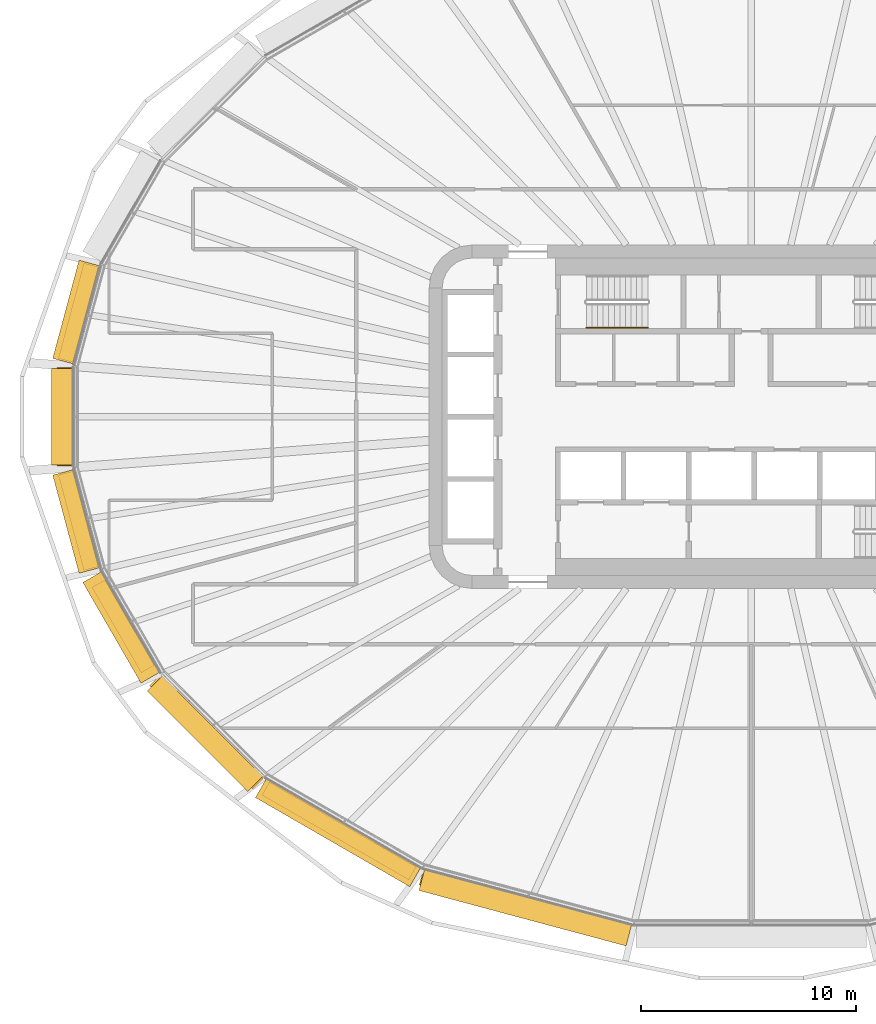
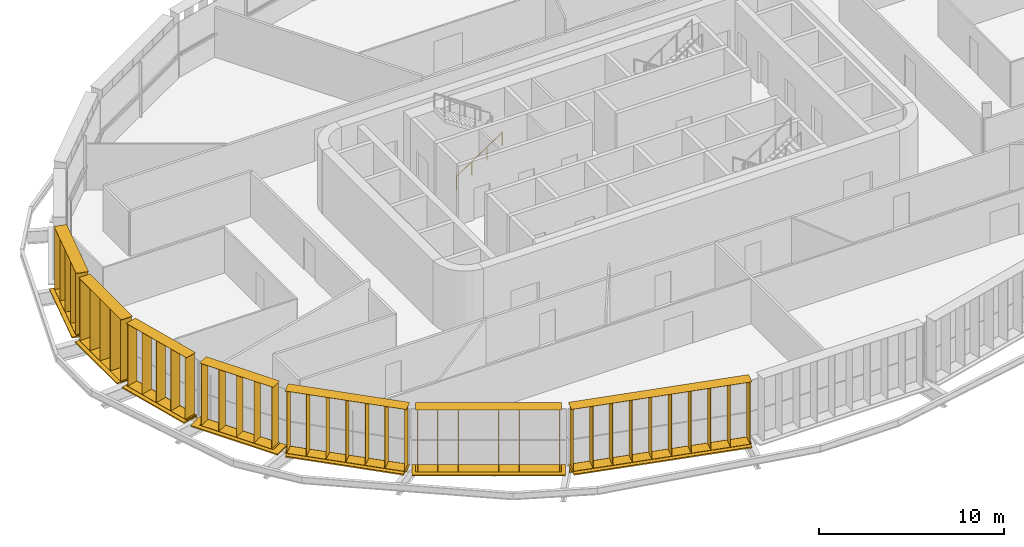
# One storey, part 20 of 25: 14 shading devices, 1 railing.
"""IFC4 building model written with IfcOpenShell, lengths in metres."""

from ifc_helpers import new_model, si_unit, direction, frame, origin, origin_2d, place, context, subcontext, project, spatial, rectangle, circle, extrude, material, type_object, element, save


model = new_model("IFC4")

# Units and contexts
model_context = context("Model", 3, precision=1e-05, world=origin(), true_north=direction((0.0, 1.0)))
body_context = subcontext(model_context, "Body", "Model", "MODEL_VIEW")
ifc_project = project(units=[si_unit("LENGTHUNIT", "METRE"), si_unit("AREAUNIT", "SQUARE_METRE"), si_unit("VOLUMEUNIT", "CUBIC_METRE"), si_unit("PLANEANGLEUNIT", "RADIAN"), si_unit("MASSUNIT", "GRAM", prefix="KILO")], contexts=[model_context])

# Site, building, storey
site_placement = place(None, origin())
site = spatial("IfcSite", under=ifc_project, at=site_placement, CompositionType="ELEMENT")
building_placement = place(site_placement, origin())
building = spatial("IfcBuilding", under=site, at=building_placement, Name="Sahrelin Media Tower", CompositionType="ELEMENT")
storey_placement = place(building_placement, frame((0.0, 0.0, 144.0)))
storey = spatial("IfcBuildingStorey", under=building, at=storey_placement, Name="L29", CompositionType="ELEMENT", Elevation=144.0)

# Shading devices
ifc_material_1 = material(Name="Champagne anodised aluminium 6063-T6", Category="aluminium")
shading_device_type_1 = type_object("IfcShadingDeviceType", Name="Fin cassette", PredefinedType="USERDEFINED", material=ifc_material_1)
placement_1 = place(storey_placement, frame((-30.940185546875, 4.7412109375, 0.0), z_axis=(0.0, 0.0, 1.0), x_axis=(0.258807731996, 0.965928857556, 0.0)))
element("IfcShadingDevice", 1, at=placement_1, inside=storey, type_object=shading_device_type_1, Name="L29:FIN:L29-11", ObjectType="FIN", PredefinedType="USERDEFINED", context=body_context, shape_type="SweptSolid", body=[
    extrude(rectangle(XDim=4.60009765625, YDim=0.699951171875, at=origin_2d()), frame((0.0, 0.419921875, 0.0)), (0.0, 0.0, 1.0), 0.02001953125),
    extrude(rectangle(XDim=4.60009765625, YDim=0.699951171875, at=origin_2d()), frame((0.0, 0.419921875, 4.10009765625)), (0.0, 0.0, 1.0), 0.02001953125),
    extrude(rectangle(XDim=0.02001953125, YDim=0.699951171875, at=origin_2d()), frame((-2.199951171875, 0.419921875, 0.010009765625), z_axis=(0.0, 0.0, 1.0), x_axis=(1.0, 0.0, 0.0)), (0.0, 0.0, 1.0), 4.10009765625),
    extrude(rectangle(XDim=0.02001953125, YDim=0.699951171875, at=origin_2d()), frame((-1.10009765625, 0.419921875, 0.010009765625), z_axis=(0.0, 0.0, 1.0), x_axis=(1.0, 0.0, 0.0)), (0.0, 0.0, 1.0), 4.10009765625),
    extrude(rectangle(XDim=0.02001953125, YDim=0.699951171875, at=origin_2d()), frame((0.0, 0.419921875, 0.010009765625), z_axis=(0.0, 0.0, 1.0), x_axis=(1.0, 0.0, 0.0)), (0.0, 0.0, 1.0), 4.10009765625),
    extrude(rectangle(XDim=0.02001953125, YDim=0.699951171875, at=origin_2d()), frame((1.10009765625, 0.419921875, 0.010009765625), z_axis=(0.0, 0.0, 1.0), x_axis=(1.0, 0.0, 0.0)), (0.0, 0.0, 1.0), 4.10009765625),
    extrude(rectangle(XDim=0.02001953125, YDim=0.699951171875, at=origin_2d()), frame((2.199951171875, 0.419921875, 0.010009765625), z_axis=(0.0, 0.0, 1.0), x_axis=(1.0, 0.0, 0.0)), (0.0, 0.0, 1.0), 4.10009765625),
])
placement_2 = place(storey_placement, frame((-31.57861328125, 0.0, 0.0), z_axis=(0.0, 0.0, 1.0), x_axis=(0.0, 1.0, 0.0)))
element("IfcShadingDevice", 2, at=placement_2, inside=storey, type_object=shading_device_type_1, Name="L29:FIN:L29-12", ObjectType="FIN", PredefinedType="USERDEFINED", context=body_context, shape_type="SweptSolid", body=[
    extrude(rectangle(XDim=4.60009765625, YDim=0.699951171875, at=origin_2d()), frame((0.0, 0.419921875, 0.0)), (0.0, 0.0, 1.0), 0.02001953125),
    extrude(rectangle(XDim=4.60009765625, YDim=0.699951171875, at=origin_2d()), frame((0.0, 0.419921875, 4.10009765625)), (0.0, 0.0, 1.0), 0.02001953125),
    extrude(rectangle(XDim=0.02001953125, YDim=0.699951171875, at=origin_2d()), frame((-2.199951171875, 0.419921875, 0.010009765625), z_axis=(0.0, 0.0, 1.0), x_axis=(1.0, 0.0, 0.0)), (0.0, 0.0, 1.0), 4.10009765625),
    extrude(rectangle(XDim=0.02001953125, YDim=0.699951171875, at=origin_2d()), frame((-1.10009765625, 0.419921875, 0.010009765625), z_axis=(0.0, 0.0, 1.0), x_axis=(1.0, 0.0, 0.0)), (0.0, 0.0, 1.0), 4.10009765625),
    extrude(rectangle(XDim=0.02001953125, YDim=0.699951171875, at=origin_2d()), frame((0.0, 0.419921875, 0.010009765625), z_axis=(0.0, 0.0, 1.0), x_axis=(1.0, 0.0, 0.0)), (0.0, 0.0, 1.0), 4.10009765625),
    extrude(rectangle(XDim=0.02001953125, YDim=0.699951171875, at=origin_2d()), frame((1.10009765625, 0.419921875, 0.010009765625), z_axis=(0.0, 0.0, 1.0), x_axis=(1.0, 0.0, 0.0)), (0.0, 0.0, 1.0), 4.10009765625),
    extrude(rectangle(XDim=0.02001953125, YDim=0.699951171875, at=origin_2d()), frame((2.199951171875, 0.419921875, 0.010009765625), z_axis=(0.0, 0.0, 1.0), x_axis=(1.0, 0.0, 0.0)), (0.0, 0.0, 1.0), 4.10009765625),
])
placement_3 = place(storey_placement, frame((-30.940185546875, -4.7412109375, 0.0), z_axis=(0.0, 0.0, 1.0), x_axis=(-0.258807731996, 0.965928857556, 0.0)))
element("IfcShadingDevice", 3, at=placement_3, inside=storey, type_object=shading_device_type_1, Name="L29:FIN:L29-13", ObjectType="FIN", PredefinedType="USERDEFINED", context=body_context, shape_type="SweptSolid", body=[
    extrude(rectangle(XDim=4.60009765625, YDim=0.699951171875, at=origin_2d()), frame((0.0, 0.419921875, 0.0)), (0.0, 0.0, 1.0), 0.02001953125),
    extrude(rectangle(XDim=4.60009765625, YDim=0.699951171875, at=origin_2d()), frame((0.0, 0.419921875, 4.10009765625)), (0.0, 0.0, 1.0), 0.02001953125),
    extrude(rectangle(XDim=0.02001953125, YDim=0.699951171875, at=origin_2d()), frame((-2.199951171875, 0.419921875, 0.010009765625), z_axis=(0.0, 0.0, 1.0), x_axis=(1.0, 0.0, 0.0)), (0.0, 0.0, 1.0), 4.10009765625),
    extrude(rectangle(XDim=0.02001953125, YDim=0.699951171875, at=origin_2d()), frame((-1.10009765625, 0.419921875, 0.010009765625), z_axis=(0.0, 0.0, 1.0), x_axis=(1.0, 0.0, 0.0)), (0.0, 0.0, 1.0), 4.10009765625),
    extrude(rectangle(XDim=0.02001953125, YDim=0.699951171875, at=origin_2d()), frame((0.0, 0.419921875, 0.010009765625), z_axis=(0.0, 0.0, 1.0), x_axis=(1.0, 0.0, 0.0)), (0.0, 0.0, 1.0), 4.10009765625),
    extrude(rectangle(XDim=0.02001953125, YDim=0.699951171875, at=origin_2d()), frame((1.10009765625, 0.419921875, 0.010009765625), z_axis=(0.0, 0.0, 1.0), x_axis=(1.0, 0.0, 0.0)), (0.0, 0.0, 1.0), 4.10009765625),
    extrude(rectangle(XDim=0.02001953125, YDim=0.699951171875, at=origin_2d()), frame((2.199951171875, 0.419921875, 0.010009765625), z_axis=(0.0, 0.0, 1.0), x_axis=(1.0, 0.0, 0.0)), (0.0, 0.0, 1.0), 4.10009765625),
])
placement_4 = place(storey_placement, frame((-28.8984375, -9.5546875, 0.0), z_axis=(0.0, 0.0, 1.0), x_axis=(-0.500011000363, 0.866019052629, 0.0)))
element("IfcShadingDevice", 4, at=placement_4, inside=storey, type_object=shading_device_type_1, Name="L29:FIN:L29-14", ObjectType="FIN", PredefinedType="USERDEFINED", context=body_context, shape_type="SweptSolid", body=[
    extrude(rectangle(XDim=4.60009765625, YDim=0.699951171875, at=origin_2d()), frame((0.0, 0.419921875, 0.0)), (0.0, 0.0, 1.0), 0.02001953125),
    extrude(rectangle(XDim=4.60009765625, YDim=0.699951171875, at=origin_2d()), frame((0.0, 0.419921875, 4.10009765625)), (0.0, 0.0, 1.0), 0.02001953125),
    extrude(rectangle(XDim=0.02001953125, YDim=0.699951171875, at=origin_2d()), frame((-2.199951171875, 0.419921875, 0.010009765625), z_axis=(0.0, 0.0, 1.0), x_axis=(1.0, 0.0, 0.0)), (0.0, 0.0, 1.0), 4.10009765625),
    extrude(rectangle(XDim=0.02001953125, YDim=0.699951171875, at=origin_2d()), frame((-1.10009765625, 0.419921875, 0.010009765625), z_axis=(0.0, 0.0, 1.0), x_axis=(1.0, 0.0, 0.0)), (0.0, 0.0, 1.0), 4.10009765625),
    extrude(rectangle(XDim=0.02001953125, YDim=0.699951171875, at=origin_2d()), frame((0.0, 0.419921875, 0.010009765625), z_axis=(0.0, 0.0, 1.0), x_axis=(1.0, 0.0, 0.0)), (0.0, 0.0, 1.0), 4.10009765625),
    extrude(rectangle(XDim=0.02001953125, YDim=0.699951171875, at=origin_2d()), frame((1.10009765625, 0.419921875, 0.010009765625), z_axis=(0.0, 0.0, 1.0), x_axis=(1.0, 0.0, 0.0)), (0.0, 0.0, 1.0), 4.10009765625),
    extrude(rectangle(XDim=0.02001953125, YDim=0.699951171875, at=origin_2d()), frame((2.199951171875, 0.419921875, 0.010009765625), z_axis=(0.0, 0.0, 1.0), x_axis=(1.0, 0.0, 0.0)), (0.0, 0.0, 1.0), 4.10009765625),
])
placement_5 = place(storey_placement, frame((-25.08349609375, -14.39697265625, 0.0), z_axis=(0.0, 0.0, 1.0), x_axis=(-0.707106781187, 0.707106781187, 0.0)))
element("IfcShadingDevice", 5, at=placement_5, inside=storey, type_object=shading_device_type_1, Name="L29:FIN:L29-15", ObjectType="FIN", PredefinedType="USERDEFINED", context=body_context, shape_type="SweptSolid", body=[
    extrude(rectangle(XDim=6.800048828125, YDim=0.699951171875, at=origin_2d()), frame((0.0, 0.419921875, 0.0)), (0.0, 0.0, 1.0), 0.02001953125),
    extrude(rectangle(XDim=6.800048828125, YDim=0.699951171875, at=origin_2d()), frame((0.0, 0.419921875, 4.10009765625)), (0.0, 0.0, 1.0), 0.02001953125),
    extrude(rectangle(XDim=0.02001953125, YDim=0.699951171875, at=origin_2d()), frame((-3.300048828125, 0.419921875, 0.010009765625), z_axis=(0.0, 0.0, 1.0), x_axis=(1.0, 0.0, 0.0)), (0.0, 0.0, 1.0), 4.10009765625),
    extrude(rectangle(XDim=0.02001953125, YDim=0.699951171875, at=origin_2d()), frame((-2.199951171875, 0.419921875, 0.010009765625), z_axis=(0.0, 0.0, 1.0), x_axis=(1.0, 0.0, 0.0)), (0.0, 0.0, 1.0), 4.10009765625),
    extrude(rectangle(XDim=0.02001953125, YDim=0.699951171875, at=origin_2d()), frame((-1.10009765625, 0.419921875, 0.010009765625), z_axis=(0.0, 0.0, 1.0), x_axis=(1.0, 0.0, 0.0)), (0.0, 0.0, 1.0), 4.10009765625),
    extrude(rectangle(XDim=0.02001953125, YDim=0.699951171875, at=origin_2d()), frame((0.0, 0.419921875, 0.010009765625), z_axis=(0.0, 0.0, 1.0), x_axis=(1.0, 0.0, 0.0)), (0.0, 0.0, 1.0), 4.10009765625),
    extrude(rectangle(XDim=0.02001953125, YDim=0.699951171875, at=origin_2d()), frame((1.10009765625, 0.419921875, 0.010009765625), z_axis=(0.0, 0.0, 1.0), x_axis=(1.0, 0.0, 0.0)), (0.0, 0.0, 1.0), 4.10009765625),
    extrude(rectangle(XDim=0.02001953125, YDim=0.699951171875, at=origin_2d()), frame((2.199951171875, 0.419921875, 0.010009765625), z_axis=(0.0, 0.0, 1.0), x_axis=(1.0, 0.0, 0.0)), (0.0, 0.0, 1.0), 4.10009765625),
    extrude(rectangle(XDim=0.02001953125, YDim=0.699951171875, at=origin_2d()), frame((3.300048828125, 0.419921875, 0.010009765625), z_axis=(0.0, 0.0, 1.0), x_axis=(1.0, 0.0, 0.0)), (0.0, 0.0, 1.0), 4.10009765625),
])
placement_6 = place(storey_placement, frame((-18.990966796875, -18.93359375, 0.0), z_axis=(0.0, 0.0, 1.0), x_axis=(-0.866019052629, 0.500011000363, 0.0)))
element("IfcShadingDevice", 6, at=placement_6, inside=storey, type_object=shading_device_type_1, Name="L29:FIN:L29-16", ObjectType="FIN", PredefinedType="USERDEFINED", context=body_context, shape_type="SweptSolid", body=[
    extrude(rectangle(XDim=7.89990234375, YDim=0.699951171875, at=origin_2d()), frame((0.0, 0.419921875, 0.0)), (0.0, 0.0, 1.0), 0.02001953125),
    extrude(rectangle(XDim=7.89990234375, YDim=0.699951171875, at=origin_2d()), frame((0.0, 0.419921875, 4.10009765625)), (0.0, 0.0, 1.0), 0.02001953125),
    extrude(rectangle(XDim=0.02001953125, YDim=0.699951171875, at=origin_2d()), frame((-3.85009765625, 0.419921875, 0.010009765625), z_axis=(0.0, 0.0, 1.0), x_axis=(1.0, 0.0, 0.0)), (0.0, 0.0, 1.0), 4.10009765625),
    extrude(rectangle(XDim=0.02001953125, YDim=0.699951171875, at=origin_2d()), frame((-2.75, 0.419921875, 0.010009765625), z_axis=(0.0, 0.0, 1.0), x_axis=(1.0, 0.0, 0.0)), (0.0, 0.0, 1.0), 4.10009765625),
    extrude(rectangle(XDim=0.02001953125, YDim=0.699951171875, at=origin_2d()), frame((-1.64990234375, 0.419921875, 0.010009765625), z_axis=(0.0, 0.0, 1.0), x_axis=(1.0, 0.0, 0.0)), (0.0, 0.0, 1.0), 4.10009765625),
    extrude(rectangle(XDim=0.02001953125, YDim=0.699951171875, at=origin_2d()), frame((-0.550048828125, 0.419921875, 0.010009765625), z_axis=(0.0, 0.0, 1.0), x_axis=(1.0, 0.0, 0.0)), (0.0, 0.0, 1.0), 4.10009765625),
    extrude(rectangle(XDim=0.02001953125, YDim=0.699951171875, at=origin_2d()), frame((0.550048828125, 0.419921875, 0.010009765625), z_axis=(0.0, 0.0, 1.0), x_axis=(1.0, 0.0, 0.0)), (0.0, 0.0, 1.0), 4.10009765625),
    extrude(rectangle(XDim=0.02001953125, YDim=0.699951171875, at=origin_2d()), frame((1.64990234375, 0.419921875, 0.010009765625), z_axis=(0.0, 0.0, 1.0), x_axis=(1.0, 0.0, 0.0)), (0.0, 0.0, 1.0), 4.10009765625),
    extrude(rectangle(XDim=0.02001953125, YDim=0.699951171875, at=origin_2d()), frame((2.75, 0.419921875, 0.010009765625), z_axis=(0.0, 0.0, 1.0), x_axis=(1.0, 0.0, 0.0)), (0.0, 0.0, 1.0), 4.10009765625),
    extrude(rectangle(XDim=0.02001953125, YDim=0.699951171875, at=origin_2d()), frame((3.85009765625, 0.419921875, 0.010009765625), z_axis=(0.0, 0.0, 1.0), x_axis=(1.0, 0.0, 0.0)), (0.0, 0.0, 1.0), 4.10009765625),
])
placement_7 = place(storey_placement, frame((-10.389404296875, -22.377197265625, 0.0), z_axis=(0.0, 0.0, 1.0), x_axis=(-0.965928857556, 0.258807731996, 0.0)))
element("IfcShadingDevice", 7, at=placement_7, inside=storey, type_object=shading_device_type_1, Name="L29:FIN:L29-17", ObjectType="FIN", PredefinedType="USERDEFINED", context=body_context, shape_type="SweptSolid", body=[
    extrude(rectangle(XDim=10.10009765625, YDim=0.699951171875, at=origin_2d()), frame((0.0, 0.419921875, 0.0)), (0.0, 0.0, 1.0), 0.02001953125),
    extrude(rectangle(XDim=10.10009765625, YDim=0.699951171875, at=origin_2d()), frame((0.0, 0.419921875, 4.10009765625)), (0.0, 0.0, 1.0), 0.02001953125),
    extrude(rectangle(XDim=0.02001953125, YDim=0.699951171875, at=origin_2d()), frame((-4.949951171875, 0.419921875, 0.010009765625), z_axis=(0.0, 0.0, 1.0), x_axis=(1.0, 0.0, 0.0)), (0.0, 0.0, 1.0), 4.10009765625),
    extrude(rectangle(XDim=0.02001953125, YDim=0.699951171875, at=origin_2d()), frame((-3.85009765625, 0.419921875, 0.010009765625), z_axis=(0.0, 0.0, 1.0), x_axis=(1.0, 0.0, 0.0)), (0.0, 0.0, 1.0), 4.10009765625),
    extrude(rectangle(XDim=0.02001953125, YDim=0.699951171875, at=origin_2d()), frame((-2.75, 0.419921875, 0.010009765625), z_axis=(0.0, 0.0, 1.0), x_axis=(1.0, 0.0, 0.0)), (0.0, 0.0, 1.0), 4.10009765625),
    extrude(rectangle(XDim=0.02001953125, YDim=0.699951171875, at=origin_2d()), frame((-1.64990234375, 0.419921875, 0.010009765625), z_axis=(0.0, 0.0, 1.0), x_axis=(1.0, 0.0, 0.0)), (0.0, 0.0, 1.0), 4.10009765625),
    extrude(rectangle(XDim=0.02001953125, YDim=0.699951171875, at=origin_2d()), frame((-0.550048828125, 0.419921875, 0.010009765625), z_axis=(0.0, 0.0, 1.0), x_axis=(1.0, 0.0, 0.0)), (0.0, 0.0, 1.0), 4.10009765625),
    extrude(rectangle(XDim=0.02001953125, YDim=0.699951171875, at=origin_2d()), frame((0.550048828125, 0.419921875, 0.010009765625), z_axis=(0.0, 0.0, 1.0), x_axis=(1.0, 0.0, 0.0)), (0.0, 0.0, 1.0), 4.10009765625),
    extrude(rectangle(XDim=0.02001953125, YDim=0.699951171875, at=origin_2d()), frame((1.64990234375, 0.419921875, 0.010009765625), z_axis=(0.0, 0.0, 1.0), x_axis=(1.0, 0.0, 0.0)), (0.0, 0.0, 1.0), 4.10009765625),
    extrude(rectangle(XDim=0.02001953125, YDim=0.699951171875, at=origin_2d()), frame((2.75, 0.419921875, 0.010009765625), z_axis=(0.0, 0.0, 1.0), x_axis=(1.0, 0.0, 0.0)), (0.0, 0.0, 1.0), 4.10009765625),
    extrude(rectangle(XDim=0.02001953125, YDim=0.699951171875, at=origin_2d()), frame((3.85009765625, 0.419921875, 0.010009765625), z_axis=(0.0, 0.0, 1.0), x_axis=(1.0, 0.0, 0.0)), (0.0, 0.0, 1.0), 4.10009765625),
    extrude(rectangle(XDim=0.02001953125, YDim=0.699951171875, at=origin_2d()), frame((4.949951171875, 0.419921875, 0.010009765625), z_axis=(0.0, 0.0, 1.0), x_axis=(1.0, 0.0, 0.0)), (0.0, 0.0, 1.0), 4.10009765625),
])

# Railing
ifc_material_2 = material(Name="Steel S355", Category="steel")
railing_type = type_object("IfcRailingType", Name="Stair handrail 900", PredefinedType="HANDRAIL", material=ifc_material_2)
railing_placement = place(storey_placement, frame((-7.675048828125, 4.14990234375, 0.175048828125)))
element("IfcRailing", 8, at=railing_placement, inside=storey, type_object=railing_type, Name="L29 ST1 stair handrail 1", PredefinedType="HANDRAIL", context=body_context, shape_type="SweptSolid", body=[
    extrude(circle(Radius=0.02392578125, at=origin_2d()), frame((0.0, 0.0, 0.8759765625), z_axis=(0.829590901723, 0.0, 0.558371682465), x_axis=(0.0, 1.0, 0.0)), (0.0, 0.0, 1.0), 3.447509765625),
    extrude(circle(Radius=0.02099609375, at=origin_2d()), origin(), (0.0, 0.0, 1.0), 0.851806640625),
    extrude(circle(Radius=0.02099609375, at=origin_2d()), frame((0.953369140625, 0.0, 0.6416015625)), (0.0, 0.0, 1.0), 0.851806640625),
    extrude(circle(Radius=0.02099609375, at=origin_2d()), frame((1.90673828125, 0.0, 1.283447265625)), (0.0, 0.0, 1.0), 0.851806640625),
    extrude(circle(Radius=0.02099609375, at=origin_2d()), frame((2.860107421875, 0.0, 1.925048828125)), (0.0, 0.0, 1.0), 0.851806640625),
])

# Shading devices
shading_device_type_2 = type_object("IfcShadingDeviceType", Name="Sunshade band", PredefinedType="USERDEFINED", material=ifc_material_1)
element("IfcShadingDevice", 9, at=placement_1, inside=storey, type_object=shading_device_type_2, Name="L29:SUN:L29-11", ObjectType="SUNSHADE", PredefinedType="USERDEFINED", context=body_context, shape_type="SweptSolid", body=[
    extrude(rectangle(XDim=4.7333984375, YDim=0.050048828125, at=origin_2d()), frame((0.0, 0.044921875, -0.55126953125)), (0.0, 0.0, 1.0), 0.471435546875),
    extrude(rectangle(XDim=4.7333984375, YDim=1.0, at=origin_2d()), frame((0.0, 0.52001953125, -0.080078125)), (0.0, 0.0, 1.0), 0.080078125),
    extrude(rectangle(XDim=0.10009765625, YDim=0.074951171875, at=origin_2d()), frame((-2.2666015625, -0.017578125, -0.47021484375)), (0.0, 0.0, 1.0), 0.300048828125),
    extrude(rectangle(XDim=0.10009765625, YDim=0.074951171875, at=origin_2d()), frame((-0.755615234375, -0.017578125, -0.47021484375)), (0.0, 0.0, 1.0), 0.300048828125),
    extrude(rectangle(XDim=0.10009765625, YDim=0.074951171875, at=origin_2d()), frame((0.755615234375, -0.017578125, -0.47021484375)), (0.0, 0.0, 1.0), 0.300048828125),
    extrude(rectangle(XDim=0.10009765625, YDim=0.074951171875, at=origin_2d()), frame((2.2666015625, -0.017578125, -0.47021484375)), (0.0, 0.0, 1.0), 0.300048828125),
])
element("IfcShadingDevice", 10, at=placement_2, inside=storey, type_object=shading_device_type_2, Name="L29:SUN:L29-12", ObjectType="SUNSHADE", PredefinedType="USERDEFINED", context=body_context, shape_type="SweptSolid", body=[
    extrude(rectangle(XDim=4.51708984375, YDim=0.050048828125, at=origin_2d()), frame((0.0, 0.044921875, -0.55126953125)), (0.0, 0.0, 1.0), 0.471435546875),
    extrude(rectangle(XDim=4.51708984375, YDim=1.0, at=origin_2d()), frame((0.0, 0.52001953125, -0.080078125)), (0.0, 0.0, 1.0), 0.080078125),
    extrude(rectangle(XDim=0.10009765625, YDim=0.074951171875, at=origin_2d()), frame((-2.158447265625, -0.017578125, -0.47021484375)), (0.0, 0.0, 1.0), 0.300048828125),
    extrude(rectangle(XDim=0.10009765625, YDim=0.074951171875, at=origin_2d()), frame((-0.719482421875, -0.017578125, -0.47021484375)), (0.0, 0.0, 1.0), 0.300048828125),
    extrude(rectangle(XDim=0.10009765625, YDim=0.074951171875, at=origin_2d()), frame((0.719482421875, -0.017578125, -0.47021484375)), (0.0, 0.0, 1.0), 0.300048828125),
    extrude(rectangle(XDim=0.10009765625, YDim=0.074951171875, at=origin_2d()), frame((2.158447265625, -0.017578125, -0.47021484375)), (0.0, 0.0, 1.0), 0.300048828125),
])
element("IfcShadingDevice", 11, at=placement_3, inside=storey, type_object=shading_device_type_2, Name="L29:SUN:L29-13", ObjectType="SUNSHADE", PredefinedType="USERDEFINED", context=body_context, shape_type="SweptSolid", body=[
    extrude(rectangle(XDim=4.7333984375, YDim=0.050048828125, at=origin_2d()), frame((0.0, 0.044921875, -0.55126953125)), (0.0, 0.0, 1.0), 0.471435546875),
    extrude(rectangle(XDim=4.7333984375, YDim=1.0, at=origin_2d()), frame((0.0, 0.52001953125, -0.080078125)), (0.0, 0.0, 1.0), 0.080078125),
    extrude(rectangle(XDim=0.10009765625, YDim=0.074951171875, at=origin_2d()), frame((-2.2666015625, -0.017578125, -0.47021484375)), (0.0, 0.0, 1.0), 0.300048828125),
    extrude(rectangle(XDim=0.10009765625, YDim=0.074951171875, at=origin_2d()), frame((-0.755615234375, -0.017578125, -0.47021484375)), (0.0, 0.0, 1.0), 0.300048828125),
    extrude(rectangle(XDim=0.10009765625, YDim=0.074951171875, at=origin_2d()), frame((0.755615234375, -0.017578125, -0.47021484375)), (0.0, 0.0, 1.0), 0.300048828125),
    extrude(rectangle(XDim=0.10009765625, YDim=0.074951171875, at=origin_2d()), frame((2.2666015625, -0.017578125, -0.47021484375)), (0.0, 0.0, 1.0), 0.300048828125),
])
element("IfcShadingDevice", 12, at=placement_4, inside=storey, type_object=shading_device_type_2, Name="L29:SUN:L29-14", ObjectType="SUNSHADE", PredefinedType="USERDEFINED", context=body_context, shape_type="SweptSolid", body=[
    extrude(rectangle(XDim=5.413818359375, YDim=0.050048828125, at=origin_2d()), frame((0.0, 0.044921875, -0.55126953125)), (0.0, 0.0, 1.0), 0.471435546875),
    extrude(rectangle(XDim=5.413818359375, YDim=1.0, at=origin_2d()), frame((0.0, 0.52001953125, -0.080078125)), (0.0, 0.0, 1.0), 0.080078125),
    extrude(rectangle(XDim=0.10009765625, YDim=0.074951171875, at=origin_2d()), frame((-2.606689453125, -0.017578125, -0.47021484375)), (0.0, 0.0, 1.0), 0.300048828125),
    extrude(rectangle(XDim=0.10009765625, YDim=0.074951171875, at=origin_2d()), frame((-0.868896484375, -0.017578125, -0.47021484375)), (0.0, 0.0, 1.0), 0.300048828125),
    extrude(rectangle(XDim=0.10009765625, YDim=0.074951171875, at=origin_2d()), frame((0.868896484375, -0.017578125, -0.47021484375)), (0.0, 0.0, 1.0), 0.300048828125),
    extrude(rectangle(XDim=0.10009765625, YDim=0.074951171875, at=origin_2d()), frame((2.606689453125, -0.017578125, -0.47021484375)), (0.0, 0.0, 1.0), 0.300048828125),
])
element("IfcShadingDevice", 13, at=placement_5, inside=storey, type_object=shading_device_type_2, Name="L29:SUN:L29-15", ObjectType="SUNSHADE", PredefinedType="USERDEFINED", context=body_context, shape_type="SweptSolid", body=[
    extrude(rectangle(XDim=6.62060546875, YDim=0.050048828125, at=origin_2d()), frame((0.0, 0.044921875, -0.55126953125)), (0.0, 0.0, 1.0), 0.471435546875),
    extrude(rectangle(XDim=6.62060546875, YDim=1.0, at=origin_2d()), frame((0.0, 0.52001953125, -0.080078125)), (0.0, 0.0, 1.0), 0.080078125),
    extrude(rectangle(XDim=0.10009765625, YDim=0.074951171875, at=origin_2d()), frame((-3.210205078125, -0.017578125, -0.47021484375)), (0.0, 0.0, 1.0), 0.300048828125),
    extrude(rectangle(XDim=0.10009765625, YDim=0.074951171875, at=origin_2d()), frame((-1.605224609375, -0.017578125, -0.47021484375)), (0.0, 0.0, 1.0), 0.300048828125),
    extrude(rectangle(XDim=0.10009765625, YDim=0.074951171875, at=origin_2d()), frame((0.0, -0.017578125, -0.47021484375)), (0.0, 0.0, 1.0), 0.300048828125),
    extrude(rectangle(XDim=0.10009765625, YDim=0.074951171875, at=origin_2d()), frame((1.605224609375, -0.017578125, -0.47021484375)), (0.0, 0.0, 1.0), 0.300048828125),
    extrude(rectangle(XDim=0.10009765625, YDim=0.074951171875, at=origin_2d()), frame((3.210205078125, -0.017578125, -0.47021484375)), (0.0, 0.0, 1.0), 0.300048828125),
])
element("IfcShadingDevice", 14, at=placement_6, inside=storey, type_object=shading_device_type_2, Name="L29:SUN:L29-16", ObjectType="SUNSHADE", PredefinedType="USERDEFINED", context=body_context, shape_type="SweptSolid", body=[
    extrude(rectangle(XDim=8.30126953125, YDim=0.050048828125, at=origin_2d()), frame((0.0, 0.044921875, -0.55126953125)), (0.0, 0.0, 1.0), 0.471435546875),
    extrude(rectangle(XDim=8.30126953125, YDim=1.0, at=origin_2d()), frame((0.0, 0.52001953125, -0.080078125)), (0.0, 0.0, 1.0), 0.080078125),
    extrude(rectangle(XDim=0.10009765625, YDim=0.074951171875, at=origin_2d()), frame((-4.050537109375, -0.017578125, -0.47021484375)), (0.0, 0.0, 1.0), 0.300048828125),
    extrude(rectangle(XDim=0.10009765625, YDim=0.074951171875, at=origin_2d()), frame((-2.430419921875, -0.017578125, -0.47021484375)), (0.0, 0.0, 1.0), 0.300048828125),
    extrude(rectangle(XDim=0.10009765625, YDim=0.074951171875, at=origin_2d()), frame((-0.81005859375, -0.017578125, -0.47021484375)), (0.0, 0.0, 1.0), 0.300048828125),
    extrude(rectangle(XDim=0.10009765625, YDim=0.074951171875, at=origin_2d()), frame((0.81005859375, -0.017578125, -0.47021484375)), (0.0, 0.0, 1.0), 0.300048828125),
    extrude(rectangle(XDim=0.10009765625, YDim=0.074951171875, at=origin_2d()), frame((2.430419921875, -0.017578125, -0.47021484375)), (0.0, 0.0, 1.0), 0.300048828125),
    extrude(rectangle(XDim=0.10009765625, YDim=0.074951171875, at=origin_2d()), frame((4.050537109375, -0.017578125, -0.47021484375)), (0.0, 0.0, 1.0), 0.300048828125),
])
element("IfcShadingDevice", 15, at=placement_7, inside=storey, type_object=shading_device_type_2, Name="L29:SUN:L29-17", ObjectType="SUNSHADE", PredefinedType="USERDEFINED", context=body_context, shape_type="SweptSolid", body=[
    extrude(rectangle(XDim=9.98779296875, YDim=0.050048828125, at=origin_2d()), frame((0.0, 0.044921875, -0.55126953125)), (0.0, 0.0, 1.0), 0.471435546875),
    extrude(rectangle(XDim=9.98779296875, YDim=1.0, at=origin_2d()), frame((0.0, 0.52001953125, -0.080078125)), (0.0, 0.0, 1.0), 0.080078125),
    extrude(rectangle(XDim=0.10009765625, YDim=0.074951171875, at=origin_2d()), frame((-4.893798828125, -0.017578125, -0.47021484375)), (0.0, 0.0, 1.0), 0.300048828125),
    extrude(rectangle(XDim=0.10009765625, YDim=0.074951171875, at=origin_2d()), frame((-2.936279296875, -0.017578125, -0.47021484375)), (0.0, 0.0, 1.0), 0.300048828125),
    extrude(rectangle(XDim=0.10009765625, YDim=0.074951171875, at=origin_2d()), frame((-0.978759765625, -0.017578125, -0.47021484375)), (0.0, 0.0, 1.0), 0.300048828125),
    extrude(rectangle(XDim=0.10009765625, YDim=0.074951171875, at=origin_2d()), frame((0.978759765625, -0.017578125, -0.47021484375)), (0.0, 0.0, 1.0), 0.300048828125),
    extrude(rectangle(XDim=0.10009765625, YDim=0.074951171875, at=origin_2d()), frame((2.936279296875, -0.017578125, -0.47021484375)), (0.0, 0.0, 1.0), 0.300048828125),
    extrude(rectangle(XDim=0.10009765625, YDim=0.074951171875, at=origin_2d()), frame((4.893798828125, -0.017578125, -0.47021484375)), (0.0, 0.0, 1.0), 0.300048828125),
])

save(model, "model.ifc")
